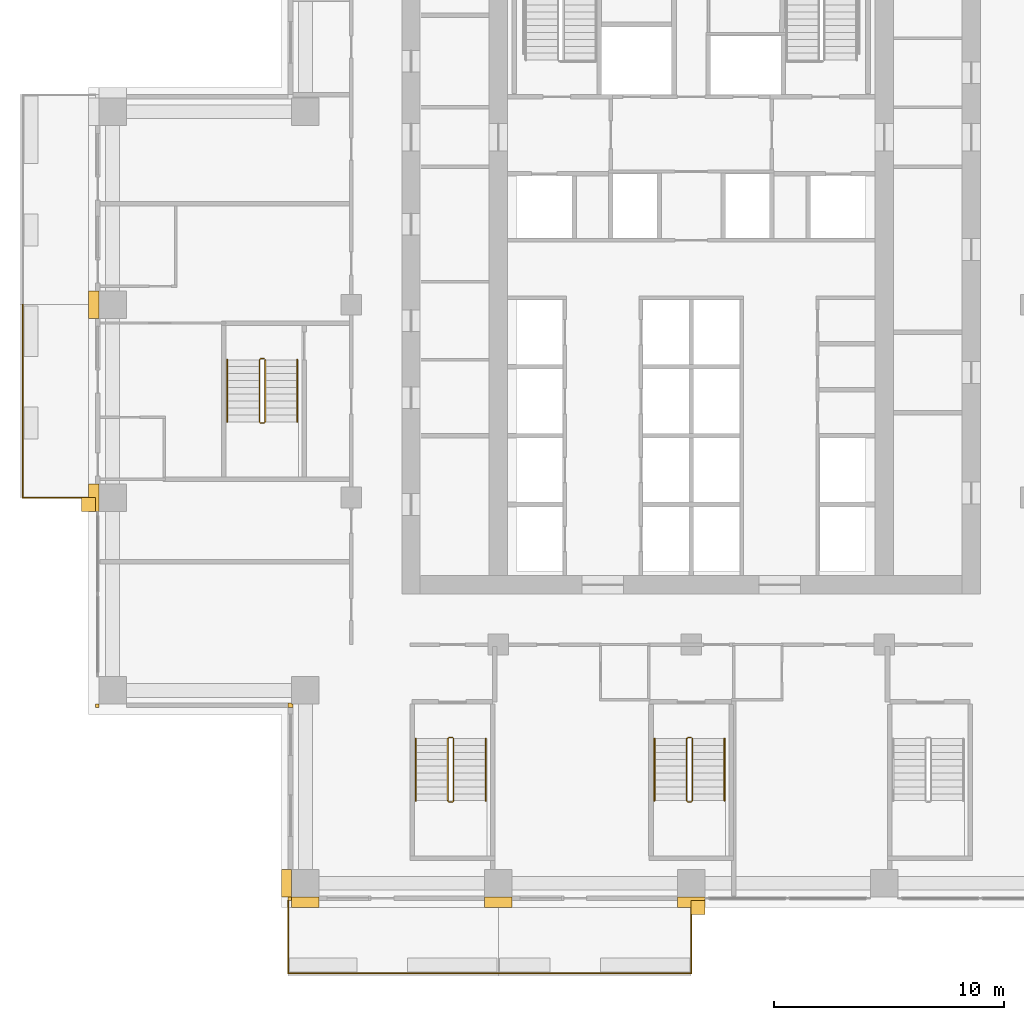
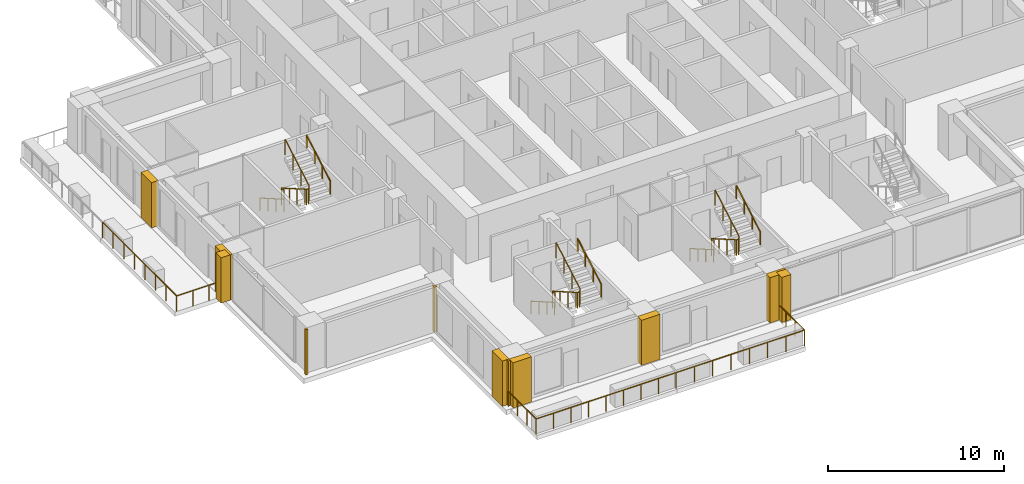
# One storey, part 13 of 16: 12 railings, 11 coverings.
"""IFC4 building model written with IfcOpenShell, lengths in metres."""

from ifc_helpers import new_model, si_unit, direction, frame, origin, origin_2d, place, context, subcontext, project, spatial, polyline, rectangle, outline, extrude, material, type_object, element, save


model = new_model("IFC4")

# Units and contexts
model_context = context("Model", 3, precision=1e-05, world=origin(), true_north=direction((0.0, 1.0)))
body_context = subcontext(model_context, "Body", "Model", "MODEL_VIEW")
ifc_project = project(units=[si_unit("LENGTHUNIT", "METRE"), si_unit("AREAUNIT", "SQUARE_METRE"), si_unit("VOLUMEUNIT", "CUBIC_METRE"), si_unit("PLANEANGLEUNIT", "RADIAN"), si_unit("MASSUNIT", "GRAM", prefix="KILO")], contexts=[model_context])

# Site, building, storey
site_placement = place(None, origin())
site = spatial("IfcSite", under=ifc_project, at=site_placement, CompositionType="ELEMENT")
building_placement = place(site_placement, origin())
building = spatial("IfcBuilding", under=site, at=building_placement, Name="Vermilion Ogive Tower", CompositionType="ELEMENT")
storey_placement = place(building_placement, frame((0.0, 0.0, 101.10009765625)))
storey = spatial("IfcBuildingStorey", under=building, at=storey_placement, Name="L25", CompositionType="ELEMENT", Elevation=101.10009765625)

# Railings
ifc_material_1 = material(Name="Stainless steel and glass", Category="steel")
railing_type_1 = type_object("IfcRailingType", Name="Balcony guard", PredefinedType="GUARDRAIL", material=ifc_material_1)
railing_1_placement = place(storey_placement, frame((-17.550048828125, -21.75, -0.0400390625)))
element("IfcRailing", 1, at=railing_1_placement, inside=storey, type_object=railing_type_1, Name="Guard S01", PredefinedType="GUARDRAIL", context=body_context, shape_type="SweptSolid", body=[
    extrude(rectangle(XDim=0.048095703125, YDim=0.048095703125, at=origin_2d()), frame((0.0, 0.0, 1.076171875), z_axis=(0.0, -1.0, 0.0), x_axis=(1.0, 0.0, 0.0)), (0.0, 0.0, 1.0), 3.159912109375),
    extrude(rectangle(XDim=0.048095703125, YDim=0.048095703125, at=origin_2d()), frame((0.0, -3.159912109375, 1.076171875), z_axis=(1.0, 0.0, 0.0), x_axis=(0.0, 1.0, 0.0)), (0.0, 0.0, 1.0), 9.150146484375),
    extrude(rectangle(XDim=0.0419921875, YDim=0.0419921875, at=origin_2d()), origin(), (0.0, 0.0, 1.0), 1.052001953125),
    extrude(rectangle(XDim=0.0419921875, YDim=0.0419921875, at=origin_2d()), frame((0.0, -1.05322265625, 0.0)), (0.0, 0.0, 1.0), 1.052001953125),
    extrude(rectangle(XDim=0.0419921875, YDim=0.0419921875, at=origin_2d()), frame((0.0, -2.106689453125, 0.0)), (0.0, 0.0, 1.0), 1.052001953125),
    extrude(rectangle(XDim=0.0419921875, YDim=0.0419921875, at=origin_2d()), frame((0.0, -3.159912109375, 0.0)), (0.0, 0.0, 1.0), 1.052001953125),
    extrude(rectangle(XDim=0.0419921875, YDim=0.0419921875, at=origin_2d()), frame((1.143798828125, -3.159912109375, 0.0)), (0.0, 0.0, 1.0), 1.052001953125),
    extrude(rectangle(XDim=0.0419921875, YDim=0.0419921875, at=origin_2d()), frame((2.28759765625, -3.159912109375, 0.0)), (0.0, 0.0, 1.0), 1.052001953125),
    extrude(rectangle(XDim=0.0419921875, YDim=0.0419921875, at=origin_2d()), frame((3.431396484375, -3.159912109375, 0.0)), (0.0, 0.0, 1.0), 1.052001953125),
    extrude(rectangle(XDim=0.0419921875, YDim=0.0419921875, at=origin_2d()), frame((4.5751953125, -3.159912109375, 0.0)), (0.0, 0.0, 1.0), 1.052001953125),
    extrude(rectangle(XDim=0.0419921875, YDim=0.0419921875, at=origin_2d()), frame((5.71875, -3.159912109375, 0.0)), (0.0, 0.0, 1.0), 1.052001953125),
    extrude(rectangle(XDim=0.0419921875, YDim=0.0419921875, at=origin_2d()), frame((6.862548828125, -3.159912109375, 0.0)), (0.0, 0.0, 1.0), 1.052001953125),
    extrude(rectangle(XDim=0.0419921875, YDim=0.0419921875, at=origin_2d()), frame((8.00634765625, -3.159912109375, 0.0)), (0.0, 0.0, 1.0), 1.052001953125),
    extrude(rectangle(XDim=0.0419921875, YDim=0.0419921875, at=origin_2d()), frame((9.150146484375, -3.159912109375, 0.0)), (0.0, 0.0, 1.0), 1.052001953125),
])
railing_2_placement = place(storey_placement, frame((-8.39990234375, -24.909912109375, -0.0400390625)))
element("IfcRailing", 2, at=railing_2_placement, inside=storey, type_object=railing_type_1, Name="Guard S02", PredefinedType="GUARDRAIL", context=body_context, shape_type="SweptSolid", body=[
    extrude(rectangle(XDim=0.048095703125, YDim=0.048095703125, at=origin_2d()), frame((0.0, 0.0, 1.076171875), z_axis=(1.0, 0.0, 0.0), x_axis=(0.0, 1.0, 0.0)), (0.0, 0.0, 1.0), 8.39990234375),
    extrude(rectangle(XDim=0.048095703125, YDim=0.048095703125, at=origin_2d()), frame((8.39990234375, 0.0, 1.076171875), z_axis=(0.0, 1.0, 0.0), x_axis=(-1.0, 0.0, 0.0)), (0.0, 0.0, 1.0), 3.159912109375),
    extrude(rectangle(XDim=0.0419921875, YDim=0.0419921875, at=origin_2d()), origin(), (0.0, 0.0, 1.0), 1.052001953125),
    extrude(rectangle(XDim=0.0419921875, YDim=0.0419921875, at=origin_2d()), frame((1.199951171875, 0.0, 0.0)), (0.0, 0.0, 1.0), 1.052001953125),
    extrude(rectangle(XDim=0.0419921875, YDim=0.0419921875, at=origin_2d()), frame((2.39990234375, 0.0, 0.0)), (0.0, 0.0, 1.0), 1.052001953125),
    extrude(rectangle(XDim=0.0419921875, YDim=0.0419921875, at=origin_2d()), frame((3.599853515625, 0.0, 0.0)), (0.0, 0.0, 1.0), 1.052001953125),
    extrude(rectangle(XDim=0.0419921875, YDim=0.0419921875, at=origin_2d()), frame((4.800048828125, 0.0, 0.0)), (0.0, 0.0, 1.0), 1.052001953125),
    extrude(rectangle(XDim=0.0419921875, YDim=0.0419921875, at=origin_2d()), frame((6.0, 0.0, 0.0)), (0.0, 0.0, 1.0), 1.052001953125),
    extrude(rectangle(XDim=0.0419921875, YDim=0.0419921875, at=origin_2d()), frame((7.199951171875, 0.0, 0.0)), (0.0, 0.0, 1.0), 1.052001953125),
    extrude(rectangle(XDim=0.0419921875, YDim=0.0419921875, at=origin_2d()), frame((8.39990234375, 0.0, 0.0)), (0.0, 0.0, 1.0), 1.052001953125),
    extrude(rectangle(XDim=0.0419921875, YDim=0.0419921875, at=origin_2d()), frame((8.39990234375, 1.05322265625, 0.0)), (0.0, 0.0, 1.0), 1.052001953125),
    extrude(rectangle(XDim=0.0419921875, YDim=0.0419921875, at=origin_2d()), frame((8.39990234375, 2.106689453125, 0.0)), (0.0, 0.0, 1.0), 1.052001953125),
    extrude(rectangle(XDim=0.0419921875, YDim=0.0419921875, at=origin_2d()), frame((8.39990234375, 3.159912109375, 0.0)), (0.0, 0.0, 1.0), 1.052001953125),
])
railing_3_placement = place(storey_placement, frame((-29.110107421875, 4.199951171875, -0.0400390625)))
element("IfcRailing", 3, at=railing_3_placement, inside=storey, type_object=railing_type_1, Name="Guard W02", PredefinedType="GUARDRAIL", context=body_context, shape_type="SweptSolid", body=[
    extrude(rectangle(XDim=0.048095703125, YDim=0.048095703125, at=origin_2d()), frame((0.0, 0.0, 1.076171875), z_axis=(0.0, -1.0, 0.0), x_axis=(1.0, 0.0, 0.0)), (0.0, 0.0, 1.0), 8.39990234375),
    extrude(rectangle(XDim=0.048095703125, YDim=0.048095703125, at=origin_2d()), frame((0.0, -8.39990234375, 1.076171875), z_axis=(1.0, 0.0, 0.0), x_axis=(0.0, 1.0, 0.0)), (0.0, 0.0, 1.0), 3.16015625),
    extrude(rectangle(XDim=0.0419921875, YDim=0.0419921875, at=origin_2d()), origin(), (0.0, 0.0, 1.0), 1.052001953125),
    extrude(rectangle(XDim=0.0419921875, YDim=0.0419921875, at=origin_2d()), frame((0.0, -1.199951171875, 0.0)), (0.0, 0.0, 1.0), 1.052001953125),
    extrude(rectangle(XDim=0.0419921875, YDim=0.0419921875, at=origin_2d()), frame((0.0, -2.39990234375, 0.0)), (0.0, 0.0, 1.0), 1.052001953125),
    extrude(rectangle(XDim=0.0419921875, YDim=0.0419921875, at=origin_2d()), frame((0.0, -3.599853515625, 0.0)), (0.0, 0.0, 1.0), 1.052001953125),
    extrude(rectangle(XDim=0.0419921875, YDim=0.0419921875, at=origin_2d()), frame((0.0, -4.800048828125, 0.0)), (0.0, 0.0, 1.0), 1.052001953125),
    extrude(rectangle(XDim=0.0419921875, YDim=0.0419921875, at=origin_2d()), frame((0.0, -6.0, 0.0)), (0.0, 0.0, 1.0), 1.052001953125),
    extrude(rectangle(XDim=0.0419921875, YDim=0.0419921875, at=origin_2d()), frame((0.0, -7.199951171875, 0.0)), (0.0, 0.0, 1.0), 1.052001953125),
    extrude(rectangle(XDim=0.0419921875, YDim=0.0419921875, at=origin_2d()), frame((0.0, -8.39990234375, 0.0)), (0.0, 0.0, 1.0), 1.052001953125),
    extrude(rectangle(XDim=0.0419921875, YDim=0.0419921875, at=origin_2d()), frame((1.053466796875, -8.39990234375, 0.0)), (0.0, 0.0, 1.0), 1.052001953125),
    extrude(rectangle(XDim=0.0419921875, YDim=0.0419921875, at=origin_2d()), frame((2.106689453125, -8.39990234375, 0.0)), (0.0, 0.0, 1.0), 1.052001953125),
    extrude(rectangle(XDim=0.0419921875, YDim=0.0419921875, at=origin_2d()), frame((3.16015625, -8.39990234375, 0.0)), (0.0, 0.0, 1.0), 1.052001953125),
])
ifc_material_2 = material(Name="Steel S355 painted", Category="steel")
railing_type_2 = type_object("IfcRailingType", Name="Stair guard 1100", PredefinedType="GUARDRAIL", material=ifc_material_2)
railing_4_placement = place(storey_placement, frame((-10.39990234375, -14.64990234375, 0.0)))
element("IfcRailing", 4, at=railing_4_placement, inside=storey, type_object=railing_type_2, Name="L25 ST3 stair guard 4", PredefinedType="GUARDRAIL", context=body_context, shape_type="SweptSolid", body=[
    extrude(rectangle(XDim=0.048095703125, YDim=0.048095703125, at=origin_2d()), frame((0.0, 0.0, 1.076171875), z_axis=(-1.0, 0.0, 0.0), x_axis=(0.0, -1.0, 0.0)), (0.0, 0.0, 1.0), 0.150146484375),
    extrude(rectangle(XDim=0.048095703125, YDim=0.048095703125, at=origin_2d()), frame((-0.150146484375, 0.0, 1.076171875), z_axis=(-0.268603158521, -0.268603158521, 0.925043072762), x_axis=(0.707106781187, -0.707106781187, 0.0)), (0.0, 0.0, 1.0), 0.186279296875),
    extrude(rectangle(XDim=0.048095703125, YDim=0.048095703125, at=origin_2d()), frame((-0.2001953125, -0.050048828125, 1.24853515625), z_axis=(0.0, -0.866903762492, 0.498475542607), x_axis=(1.0, 0.0, 0.0)), (0.0, 0.0, 1.0), 3.114501953125),
    extrude(rectangle(XDim=0.048095703125, YDim=0.048095703125, at=origin_2d()), frame((-0.2001953125, -2.75, 2.80078125), z_axis=(0.707106781187, -0.707106781187, 0.0), x_axis=(0.707106781187, 0.707106781187, 0.0)), (0.0, 0.0, 1.0), 0.07080078125),
    extrude(rectangle(XDim=0.048095703125, YDim=0.048095703125, at=origin_2d()), frame((-0.150146484375, -2.800048828125, 2.80078125), z_axis=(1.0, 0.0, 0.0), x_axis=(0.0, 1.0, 0.0)), (0.0, 0.0, 1.0), 0.150146484375),
    extrude(rectangle(XDim=0.048095703125, YDim=0.048095703125, at=origin_2d()), frame((0.0, -2.800048828125, 2.80078125), z_axis=(0.267062837333, 0.268371968888, 0.925556009775), x_axis=(-0.708833529934, 0.705375805398, 0.0)), (0.0, 0.0, 1.0), 0.1865234375),
    extrude(rectangle(XDim=0.048095703125, YDim=0.048095703125, at=origin_2d()), frame((0.0498046875, -2.75, 2.9736328125), z_axis=(0.0, 0.866903762492, 0.498475542607), x_axis=(-1.0, 0.0, 0.0)), (0.0, 0.0, 1.0), 3.114501953125),
    extrude(rectangle(XDim=0.0419921875, YDim=0.0419921875, at=origin_2d()), origin(), (0.0, 0.0, 1.0), 1.052001953125),
    extrude(rectangle(XDim=0.0419921875, YDim=0.0419921875, at=origin_2d()), frame((-0.150146484375, 0.0, 0.0)), (0.0, 0.0, 1.0), 1.052001953125),
    extrude(rectangle(XDim=0.0419921875, YDim=0.0419921875, at=origin_2d()), frame((-0.2001953125, -0.050048828125, 0.17236328125)), (0.0, 0.0, 1.0), 1.052001953125),
    extrude(rectangle(XDim=0.0419921875, YDim=0.0419921875, at=origin_2d()), frame((-0.2001953125, -0.949951171875, 0.68994140625)), (0.0, 0.0, 1.0), 1.052001953125),
    extrude(rectangle(XDim=0.0419921875, YDim=0.0419921875, at=origin_2d()), frame((-0.2001953125, -1.85009765625, 1.207275390625)), (0.0, 0.0, 1.0), 1.052001953125),
    extrude(rectangle(XDim=0.0419921875, YDim=0.0419921875, at=origin_2d()), frame((-0.2001953125, -2.75, 1.724853515625)), (0.0, 0.0, 1.0), 1.052001953125),
    extrude(rectangle(XDim=0.0419921875, YDim=0.0419921875, at=origin_2d()), frame((-0.150146484375, -2.800048828125, 1.724853515625)), (0.0, 0.0, 1.0), 1.052001953125),
    extrude(rectangle(XDim=0.0419921875, YDim=0.0419921875, at=origin_2d()), frame((0.0, -2.800048828125, 1.724853515625)), (0.0, 0.0, 1.0), 1.052001953125),
    extrude(rectangle(XDim=0.0419921875, YDim=0.0419921875, at=origin_2d()), frame((0.0498046875, -2.75, 1.8974609375)), (0.0, 0.0, 1.0), 1.052001953125),
    extrude(rectangle(XDim=0.0419921875, YDim=0.0419921875, at=origin_2d()), frame((0.0498046875, -1.85009765625, 2.4150390625)), (0.0, 0.0, 1.0), 1.052001953125),
    extrude(rectangle(XDim=0.0419921875, YDim=0.0419921875, at=origin_2d()), frame((0.0498046875, -0.949951171875, 2.932373046875)), (0.0, 0.0, 1.0), 1.052001953125),
    extrude(rectangle(XDim=0.0419921875, YDim=0.0419921875, at=origin_2d()), frame((0.0498046875, -0.050048828125, 3.449951171875)), (0.0, 0.0, 1.0), 1.052001953125),
])
railing_5_placement = place(storey_placement, frame((0.0, -14.64990234375, 0.0)))
element("IfcRailing", 5, at=railing_5_placement, inside=storey, type_object=railing_type_2, Name="L25 ST4 stair guard 4", PredefinedType="GUARDRAIL", context=body_context, shape_type="SweptSolid", body=[
    extrude(rectangle(XDim=0.048095703125, YDim=0.048095703125, at=origin_2d()), frame((0.0, 0.0, 1.076171875), z_axis=(-1.0, 0.0, 0.0), x_axis=(0.0, -1.0, 0.0)), (0.0, 0.0, 1.0), 0.14990234375),
    extrude(rectangle(XDim=0.048095703125, YDim=0.048095703125, at=origin_2d()), frame((-0.14990234375, 0.0, 1.076171875), z_axis=(-0.268603158521, -0.268603158521, 0.925043072762), x_axis=(0.707106781187, -0.707106781187, 0.0)), (0.0, 0.0, 1.0), 0.186279296875),
    extrude(rectangle(XDim=0.048095703125, YDim=0.048095703125, at=origin_2d()), frame((-0.199951171875, -0.050048828125, 1.24853515625), z_axis=(0.0, -0.866903762492, 0.498475542607), x_axis=(1.0, 0.0, 0.0)), (0.0, 0.0, 1.0), 3.114501953125),
    extrude(rectangle(XDim=0.048095703125, YDim=0.048095703125, at=origin_2d()), frame((-0.199951171875, -2.75, 2.80078125), z_axis=(0.707106781187, -0.707106781187, 0.0), x_axis=(0.707106781187, 0.707106781187, 0.0)), (0.0, 0.0, 1.0), 0.07080078125),
    extrude(rectangle(XDim=0.048095703125, YDim=0.048095703125, at=origin_2d()), frame((-0.14990234375, -2.800048828125, 2.80078125), z_axis=(1.0, 0.0, 0.0), x_axis=(0.0, 1.0, 0.0)), (0.0, 0.0, 1.0), 0.14990234375),
    extrude(rectangle(XDim=0.048095703125, YDim=0.048095703125, at=origin_2d()), frame((0.0, -2.800048828125, 2.80078125), z_axis=(0.268277960024, 0.268277960024, 0.925231793839), x_axis=(-0.707106781187, 0.707106781187, 0.0)), (0.0, 0.0, 1.0), 0.1865234375),
    extrude(rectangle(XDim=0.048095703125, YDim=0.048095703125, at=origin_2d()), frame((0.050048828125, -2.75, 2.9736328125), z_axis=(0.0, 0.866903762492, 0.498475542607), x_axis=(-1.0, 0.0, 0.0)), (0.0, 0.0, 1.0), 3.114501953125),
    extrude(rectangle(XDim=0.0419921875, YDim=0.0419921875, at=origin_2d()), origin(), (0.0, 0.0, 1.0), 1.052001953125),
    extrude(rectangle(XDim=0.0419921875, YDim=0.0419921875, at=origin_2d()), frame((-0.14990234375, 0.0, 0.0)), (0.0, 0.0, 1.0), 1.052001953125),
    extrude(rectangle(XDim=0.0419921875, YDim=0.0419921875, at=origin_2d()), frame((-0.199951171875, -0.050048828125, 0.17236328125)), (0.0, 0.0, 1.0), 1.052001953125),
    extrude(rectangle(XDim=0.0419921875, YDim=0.0419921875, at=origin_2d()), frame((-0.199951171875, -0.949951171875, 0.68994140625)), (0.0, 0.0, 1.0), 1.052001953125),
    extrude(rectangle(XDim=0.0419921875, YDim=0.0419921875, at=origin_2d()), frame((-0.199951171875, -1.85009765625, 1.207275390625)), (0.0, 0.0, 1.0), 1.052001953125),
    extrude(rectangle(XDim=0.0419921875, YDim=0.0419921875, at=origin_2d()), frame((-0.199951171875, -2.75, 1.724853515625)), (0.0, 0.0, 1.0), 1.052001953125),
    extrude(rectangle(XDim=0.0419921875, YDim=0.0419921875, at=origin_2d()), frame((-0.14990234375, -2.800048828125, 1.724853515625)), (0.0, 0.0, 1.0), 1.052001953125),
    extrude(rectangle(XDim=0.0419921875, YDim=0.0419921875, at=origin_2d()), frame((0.0, -2.800048828125, 1.724853515625)), (0.0, 0.0, 1.0), 1.052001953125),
    extrude(rectangle(XDim=0.0419921875, YDim=0.0419921875, at=origin_2d()), frame((0.050048828125, -2.75, 1.8974609375)), (0.0, 0.0, 1.0), 1.052001953125),
    extrude(rectangle(XDim=0.0419921875, YDim=0.0419921875, at=origin_2d()), frame((0.050048828125, -1.85009765625, 2.4150390625)), (0.0, 0.0, 1.0), 1.052001953125),
    extrude(rectangle(XDim=0.0419921875, YDim=0.0419921875, at=origin_2d()), frame((0.050048828125, -0.949951171875, 2.932373046875)), (0.0, 0.0, 1.0), 1.052001953125),
    extrude(rectangle(XDim=0.0419921875, YDim=0.0419921875, at=origin_2d()), frame((0.050048828125, -0.050048828125, 3.449951171875)), (0.0, 0.0, 1.0), 1.052001953125),
])
railing_6_placement = place(storey_placement, frame((-18.60009765625, 1.85009765625, 0.0)))
element("IfcRailing", 6, at=railing_6_placement, inside=storey, type_object=railing_type_2, Name="L25 ST9 stair guard 4", PredefinedType="GUARDRAIL", context=body_context, shape_type="SweptSolid", body=[
    extrude(rectangle(XDim=0.048095703125, YDim=0.048095703125, at=origin_2d()), frame((0.0, 0.0, 1.076171875), z_axis=(-1.0, 0.0, 0.0), x_axis=(0.0, -1.0, 0.0)), (0.0, 0.0, 1.0), 0.14990234375),
    extrude(rectangle(XDim=0.048095703125, YDim=0.048095703125, at=origin_2d()), frame((-0.14990234375, 0.0, 1.076171875), z_axis=(-0.268603158521, -0.268603158521, 0.925043072762), x_axis=(0.707106781187, -0.707106781187, 0.0)), (0.0, 0.0, 1.0), 0.186279296875),
    extrude(rectangle(XDim=0.048095703125, YDim=0.048095703125, at=origin_2d()), frame((-0.199951171875, -0.050048828125, 1.24853515625), z_axis=(0.0, -0.866903762492, 0.498475542607), x_axis=(1.0, 0.0, 0.0)), (0.0, 0.0, 1.0), 3.114501953125),
    extrude(rectangle(XDim=0.048095703125, YDim=0.048095703125, at=origin_2d()), frame((-0.199951171875, -2.75, 2.80078125), z_axis=(0.707106781187, -0.707106781187, 0.0), x_axis=(0.707106781187, 0.707106781187, 0.0)), (0.0, 0.0, 1.0), 0.07080078125),
    extrude(rectangle(XDim=0.048095703125, YDim=0.048095703125, at=origin_2d()), frame((-0.14990234375, -2.800048828125, 2.80078125), z_axis=(1.0, 0.0, 0.0), x_axis=(0.0, 1.0, 0.0)), (0.0, 0.0, 1.0), 0.14990234375),
    extrude(rectangle(XDim=0.048095703125, YDim=0.048095703125, at=origin_2d()), frame((0.0, -2.800048828125, 2.80078125), z_axis=(0.268277960024, 0.268277960024, 0.925231793839), x_axis=(-0.707106781187, 0.707106781187, 0.0)), (0.0, 0.0, 1.0), 0.1865234375),
    extrude(rectangle(XDim=0.048095703125, YDim=0.048095703125, at=origin_2d()), frame((0.050048828125, -2.75, 2.9736328125), z_axis=(0.0, 0.866903762492, 0.498475542607), x_axis=(-1.0, 0.0, 0.0)), (0.0, 0.0, 1.0), 3.114501953125),
    extrude(rectangle(XDim=0.0419921875, YDim=0.0419921875, at=origin_2d()), origin(), (0.0, 0.0, 1.0), 1.052001953125),
    extrude(rectangle(XDim=0.0419921875, YDim=0.0419921875, at=origin_2d()), frame((-0.14990234375, 0.0, 0.0)), (0.0, 0.0, 1.0), 1.052001953125),
    extrude(rectangle(XDim=0.0419921875, YDim=0.0419921875, at=origin_2d()), frame((-0.199951171875, -0.050048828125, 0.17236328125)), (0.0, 0.0, 1.0), 1.052001953125),
    extrude(rectangle(XDim=0.0419921875, YDim=0.0419921875, at=origin_2d()), frame((-0.199951171875, -0.949951171875, 0.68994140625)), (0.0, 0.0, 1.0), 1.052001953125),
    extrude(rectangle(XDim=0.0419921875, YDim=0.0419921875, at=origin_2d()), frame((-0.199951171875, -1.85009765625, 1.207275390625)), (0.0, 0.0, 1.0), 1.052001953125),
    extrude(rectangle(XDim=0.0419921875, YDim=0.0419921875, at=origin_2d()), frame((-0.199951171875, -2.75, 1.724853515625)), (0.0, 0.0, 1.0), 1.052001953125),
    extrude(rectangle(XDim=0.0419921875, YDim=0.0419921875, at=origin_2d()), frame((-0.14990234375, -2.800048828125, 1.724853515625)), (0.0, 0.0, 1.0), 1.052001953125),
    extrude(rectangle(XDim=0.0419921875, YDim=0.0419921875, at=origin_2d()), frame((0.0, -2.800048828125, 1.724853515625)), (0.0, 0.0, 1.0), 1.052001953125),
    extrude(rectangle(XDim=0.0419921875, YDim=0.0419921875, at=origin_2d()), frame((0.050048828125, -2.75, 1.8974609375)), (0.0, 0.0, 1.0), 1.052001953125),
    extrude(rectangle(XDim=0.0419921875, YDim=0.0419921875, at=origin_2d()), frame((0.050048828125, -1.85009765625, 2.4150390625)), (0.0, 0.0, 1.0), 1.052001953125),
    extrude(rectangle(XDim=0.0419921875, YDim=0.0419921875, at=origin_2d()), frame((0.050048828125, -0.949951171875, 2.932373046875)), (0.0, 0.0, 1.0), 1.052001953125),
    extrude(rectangle(XDim=0.0419921875, YDim=0.0419921875, at=origin_2d()), frame((0.050048828125, -0.050048828125, 3.449951171875)), (0.0, 0.0, 1.0), 1.052001953125),
])
ifc_material_3 = material(Name="Stainless steel", Category="steel")
railing_type_3 = type_object("IfcRailingType", Name="Stair handrail 900", PredefinedType="HANDRAIL", material=ifc_material_3)
railing_7_placement = place(storey_placement, frame((-12.0, -14.699951171875, 0.17236328125)))
element("IfcRailing", 7, at=railing_7_placement, inside=storey, type_object=railing_type_3, Name="L25 ST3 stair handrail 1", PredefinedType="HANDRAIL", context=body_context, shape_type="SweptSolid", body=[
    extrude(rectangle(XDim=0.048095703125, YDim=0.048095703125, at=origin_2d()), frame((0.0, 0.0, 0.8759765625), z_axis=(0.0, -0.866903762492, 0.498475542607), x_axis=(1.0, 0.0, 0.0)), (0.0, 0.0, 1.0), 3.114501953125),
    extrude(rectangle(XDim=0.0419921875, YDim=0.0419921875, at=origin_2d()), origin(), (0.0, 0.0, 1.0), 0.851806640625),
    extrude(rectangle(XDim=0.0419921875, YDim=0.0419921875, at=origin_2d()), frame((0.0, -0.89990234375, 0.517578125)), (0.0, 0.0, 1.0), 0.851806640625),
    extrude(rectangle(XDim=0.0419921875, YDim=0.0419921875, at=origin_2d()), frame((0.0, -1.800048828125, 1.034912109375)), (0.0, 0.0, 1.0), 0.851806640625),
    extrude(rectangle(XDim=0.0419921875, YDim=0.0419921875, at=origin_2d()), frame((0.0, -2.699951171875, 1.552490234375)), (0.0, 0.0, 1.0), 0.851806640625),
])
railing_8_placement = place(storey_placement, frame((-8.949951171875, -17.39990234375, 1.8974609375)))
element("IfcRailing", 8, at=railing_8_placement, inside=storey, type_object=railing_type_3, Name="L25 ST3 stair handrail 2", PredefinedType="HANDRAIL", context=body_context, shape_type="SweptSolid", body=[
    extrude(rectangle(XDim=0.048095703125, YDim=0.048095703125, at=origin_2d()), frame((0.0, 0.0, 0.8759765625), z_axis=(0.0, 0.866903762492, 0.498475542607), x_axis=(-1.0, 0.0, 0.0)), (0.0, 0.0, 1.0), 3.114501953125),
    extrude(rectangle(XDim=0.0419921875, YDim=0.0419921875, at=origin_2d()), origin(), (0.0, 0.0, 1.0), 0.851806640625),
    extrude(rectangle(XDim=0.0419921875, YDim=0.0419921875, at=origin_2d()), frame((0.0, 0.89990234375, 0.517578125)), (0.0, 0.0, 1.0), 0.851806640625),
    extrude(rectangle(XDim=0.0419921875, YDim=0.0419921875, at=origin_2d()), frame((0.0, 1.800048828125, 1.034912109375)), (0.0, 0.0, 1.0), 0.851806640625),
    extrude(rectangle(XDim=0.0419921875, YDim=0.0419921875, at=origin_2d()), frame((0.0, 2.699951171875, 1.552490234375)), (0.0, 0.0, 1.0), 0.851806640625),
])
railing_9_placement = place(storey_placement, frame((-1.60009765625, -14.699951171875, 0.17236328125)))
element("IfcRailing", 9, at=railing_9_placement, inside=storey, type_object=railing_type_3, Name="L25 ST4 stair handrail 1", PredefinedType="HANDRAIL", context=body_context, shape_type="SweptSolid", body=[
    extrude(rectangle(XDim=0.048095703125, YDim=0.048095703125, at=origin_2d()), frame((0.0, 0.0, 0.8759765625), z_axis=(0.0, -0.866903762492, 0.498475542607), x_axis=(1.0, 0.0, 0.0)), (0.0, 0.0, 1.0), 3.114501953125),
    extrude(rectangle(XDim=0.0419921875, YDim=0.0419921875, at=origin_2d()), origin(), (0.0, 0.0, 1.0), 0.851806640625),
    extrude(rectangle(XDim=0.0419921875, YDim=0.0419921875, at=origin_2d()), frame((0.0, -0.89990234375, 0.517578125)), (0.0, 0.0, 1.0), 0.851806640625),
    extrude(rectangle(XDim=0.0419921875, YDim=0.0419921875, at=origin_2d()), frame((0.0, -1.800048828125, 1.034912109375)), (0.0, 0.0, 1.0), 0.851806640625),
    extrude(rectangle(XDim=0.0419921875, YDim=0.0419921875, at=origin_2d()), frame((0.0, -2.699951171875, 1.552490234375)), (0.0, 0.0, 1.0), 0.851806640625),
])
railing_10_placement = place(storey_placement, frame((1.449951171875, -17.39990234375, 1.8974609375)))
element("IfcRailing", 10, at=railing_10_placement, inside=storey, type_object=railing_type_3, Name="L25 ST4 stair handrail 2", PredefinedType="HANDRAIL", context=body_context, shape_type="SweptSolid", body=[
    extrude(rectangle(XDim=0.048095703125, YDim=0.048095703125, at=origin_2d()), frame((0.0, 0.0, 0.8759765625), z_axis=(0.0, 0.866903762492, 0.498475542607), x_axis=(-1.0, 0.0, 0.0)), (0.0, 0.0, 1.0), 3.114501953125),
    extrude(rectangle(XDim=0.0419921875, YDim=0.0419921875, at=origin_2d()), origin(), (0.0, 0.0, 1.0), 0.851806640625),
    extrude(rectangle(XDim=0.0419921875, YDim=0.0419921875, at=origin_2d()), frame((0.0, 0.89990234375, 0.517578125)), (0.0, 0.0, 1.0), 0.851806640625),
    extrude(rectangle(XDim=0.0419921875, YDim=0.0419921875, at=origin_2d()), frame((0.0, 1.800048828125, 1.034912109375)), (0.0, 0.0, 1.0), 0.851806640625),
    extrude(rectangle(XDim=0.0419921875, YDim=0.0419921875, at=origin_2d()), frame((0.0, 2.699951171875, 1.552490234375)), (0.0, 0.0, 1.0), 0.851806640625),
])
railing_11_placement = place(storey_placement, frame((-20.199951171875, 1.800048828125, 0.17236328125)))
element("IfcRailing", 11, at=railing_11_placement, inside=storey, type_object=railing_type_3, Name="L25 ST9 stair handrail 1", PredefinedType="HANDRAIL", context=body_context, shape_type="SweptSolid", body=[
    extrude(rectangle(XDim=0.048095703125, YDim=0.048095703125, at=origin_2d()), frame((0.0, 0.0, 0.8759765625), z_axis=(0.0, -0.866903762492, 0.498475542607), x_axis=(1.0, 0.0, 0.0)), (0.0, 0.0, 1.0), 3.114501953125),
    extrude(rectangle(XDim=0.0419921875, YDim=0.0419921875, at=origin_2d()), origin(), (0.0, 0.0, 1.0), 0.851806640625),
    extrude(rectangle(XDim=0.0419921875, YDim=0.0419921875, at=origin_2d()), frame((0.0, -0.89990234375, 0.517578125)), (0.0, 0.0, 1.0), 0.851806640625),
    extrude(rectangle(XDim=0.0419921875, YDim=0.0419921875, at=origin_2d()), frame((0.0, -1.800048828125, 1.034912109375)), (0.0, 0.0, 1.0), 0.851806640625),
    extrude(rectangle(XDim=0.0419921875, YDim=0.0419921875, at=origin_2d()), frame((0.0, -2.699951171875, 1.552490234375)), (0.0, 0.0, 1.0), 0.851806640625),
])
railing_12_placement = place(storey_placement, frame((-17.14990234375, -0.89990234375, 1.8974609375)))
element("IfcRailing", 12, at=railing_12_placement, inside=storey, type_object=railing_type_3, Name="L25 ST9 stair handrail 2", PredefinedType="HANDRAIL", context=body_context, shape_type="SweptSolid", body=[
    extrude(rectangle(XDim=0.048095703125, YDim=0.048095703125, at=origin_2d()), frame((0.0, 0.0, 0.8759765625), z_axis=(0.0, 0.866903762492, 0.498475542607), x_axis=(-1.0, 0.0, 0.0)), (0.0, 0.0, 1.0), 3.114501953125),
    extrude(rectangle(XDim=0.0419921875, YDim=0.0419921875, at=origin_2d()), origin(), (0.0, 0.0, 1.0), 0.851806640625),
    extrude(rectangle(XDim=0.0419921875, YDim=0.0419921875, at=origin_2d()), frame((0.0, 0.89990234375, 0.517578125)), (0.0, 0.0, 1.0), 0.851806640625),
    extrude(rectangle(XDim=0.0419921875, YDim=0.0419921875, at=origin_2d()), frame((0.0, 1.800048828125, 1.034912109375)), (0.0, 0.0, 1.0), 0.851806640625),
    extrude(rectangle(XDim=0.0419921875, YDim=0.0419921875, at=origin_2d()), frame((0.0, 2.699951171875, 1.552490234375)), (0.0, 0.0, 1.0), 0.851806640625),
])

# Coverings
ifc_material_4 = material(Name="Stone cladding", Category="masonry")
covering_type_1 = type_object("IfcCoveringType", Name="Stone corner buttress", PredefinedType="CLADDING", material=ifc_material_4)
covering_1_placement = place(storey_placement, origin())
element("IfcCovering", 13, at=covering_1_placement, inside=storey, type_object=covering_type_1, Name="Stone crease pier SK", PredefinedType="CLADDING", context=body_context, shape_type="SweptSolid", body=[
    extrude(outline(polyline([(0.0, -22.35009765625), (0.60009765625, -22.35009765625), (0.60009765625, -21.75), (0.0, -21.75), (0.0, -22.35009765625)])), origin(), (0.0, 0.0, 1.0), 3.1298828125),
])
covering_2_placement = place(storey_placement, origin())
element("IfcCovering", 14, at=covering_2_placement, inside=storey, type_object=covering_type_1, Name="Stone crease pier WK", PredefinedType="CLADDING", context=body_context, shape_type="SweptSolid", body=[
    extrude(outline(polyline([(-26.550048828125, -4.199951171875), (-26.550048828125, -4.800048828125), (-25.949951171875, -4.800048828125), (-25.949951171875, -4.199951171875), (-26.550048828125, -4.199951171875)])), origin(), (0.0, 0.0, 1.0), 3.1298828125),
])
ifc_material_5 = material(Name="Stone cladding", Category="masonry")
covering_type_2 = type_object("IfcCoveringType", Name="Stone pier", PredefinedType="CLADDING", material=ifc_material_5)
covering_3_placement = place(storey_placement, origin())
element("IfcCovering", 15, at=covering_3_placement, inside=storey, type_object=covering_type_2, Name="Stone corner pier WE1", PredefinedType="CLADDING", context=body_context, shape_type="SweptSolid", body=[
    extrude(outline(polyline([(-25.949951171875, -13.199951171875), (-25.800048828125, -13.199951171875), (-25.800048828125, -13.35009765625), (-25.949951171875, -13.35009765625), (-25.949951171875, -13.199951171875)])), origin(), (0.0, 0.0, 1.0), 3.1298828125),
])
covering_4_placement = place(storey_placement, origin())
element("IfcCovering", 16, at=covering_4_placement, inside=storey, type_object=covering_type_2, Name="Stone corner pier X7E1", PredefinedType="CLADDING", context=body_context, shape_type="SweptSolid", body=[
    extrude(outline(polyline([(-17.39990234375, -13.14990234375), (-17.39990234375, -13.199951171875), (-17.35009765625, -13.199951171875), (-17.35009765625, -13.35009765625), (-17.550048828125, -13.35009765625), (-17.550048828125, -13.14990234375), (-17.39990234375, -13.14990234375)])), origin(), (0.0, 0.0, 1.0), 3.1298828125),
])
covering_5_placement = place(storey_placement, origin())
element("IfcCovering", 17, at=covering_5_placement, inside=storey, type_object=covering_type_2, Name="Stone corner pier X8E1", PredefinedType="CLADDING", context=body_context, shape_type="SweptSolid", body=[
    extrude(outline(polyline([(-17.550048828125, -21.60009765625), (-17.39990234375, -21.60009765625), (-17.39990234375, -21.60009765625), (-17.39990234375, -21.75), (-17.550048828125, -21.75), (-17.550048828125, -21.60009765625)])), origin(), (0.0, 0.0, 1.0), 3.1298828125),
])
covering_6_placement = place(storey_placement, origin())
element("IfcCovering", 18, at=covering_6_placement, inside=storey, type_object=covering_type_2, Name="Stone pier P+0000-210", PredefinedType="CLADDING", context=body_context, shape_type="SweptSolid", body=[
    extrude(outline(polyline([(0.60009765625, -21.60009765625), (0.60009765625, -21.60009765625), (0.60009765625, -22.050048828125), (0.60009765625, -22.050048828125), (0.60009765625, -21.75), (0.0, -21.75), (0.0, -22.050048828125), (-0.60009765625, -22.050048828125), (-0.60009765625, -21.60009765625), (-0.60009765625, -21.60009765625), (0.60009765625, -21.60009765625)])), origin(), (0.0, 0.0, 1.0), 3.1298828125),
])
covering_7_placement = place(storey_placement, origin())
element("IfcCovering", 19, at=covering_7_placement, inside=storey, type_object=covering_type_2, Name="Stone pier P-0084-210", PredefinedType="CLADDING", context=body_context, shape_type="SweptSolid", body=[
    extrude(outline(polyline([(-7.800048828125, -22.050048828125), (-9.0, -22.050048828125), (-9.0, -21.60009765625), (-7.800048828125, -21.60009765625), (-7.800048828125, -22.050048828125)])), origin(), (0.0, 0.0, 1.0), 3.1298828125),
])
covering_8_placement = place(storey_placement, origin())
element("IfcCovering", 20, at=covering_8_placement, inside=storey, type_object=covering_type_2, Name="Stone pier P-0168-210S", PredefinedType="CLADDING", context=body_context, shape_type="SweptSolid", body=[
    extrude(outline(polyline([(-16.199951171875, -22.050048828125), (-17.39990234375, -22.050048828125), (-17.39990234375, -21.60009765625), (-16.199951171875, -21.60009765625), (-16.199951171875, -22.050048828125)])), origin(), (0.0, 0.0, 1.0), 3.1298828125),
])
covering_9_placement = place(storey_placement, origin())
element("IfcCovering", 21, at=covering_9_placement, inside=storey, type_object=covering_type_2, Name="Stone pier P-0168-210X8", PredefinedType="CLADDING", context=body_context, shape_type="SweptSolid", body=[
    extrude(outline(polyline([(-17.85009765625, -20.39990234375), (-17.39990234375, -20.39990234375), (-17.39990234375, -21.60009765625), (-17.85009765625, -21.60009765625), (-17.85009765625, -20.39990234375)])), origin(), (0.0, 0.0, 1.0), 3.1298828125),
])
covering_10_placement = place(storey_placement, origin())
element("IfcCovering", 22, at=covering_10_placement, inside=storey, type_object=covering_type_2, Name="Stone pier P-0252+042", PredefinedType="CLADDING", context=body_context, shape_type="SweptSolid", body=[
    extrude(outline(polyline([(-25.800048828125, 3.60009765625), (-26.25, 3.60009765625), (-26.25, 4.800048828125), (-25.800048828125, 4.800048828125), (-25.800048828125, 4.800048828125), (-25.800048828125, 3.60009765625)])), origin(), (0.0, 0.0, 1.0), 3.1298828125),
])
covering_11_placement = place(storey_placement, origin())
element("IfcCovering", 23, at=covering_11_placement, inside=storey, type_object=covering_type_2, Name="Stone pier P-0252-042", PredefinedType="CLADDING", context=body_context, shape_type="SweptSolid", body=[
    extrude(outline(polyline([(-25.800048828125, -4.800048828125), (-25.800048828125, -4.800048828125), (-26.25, -4.800048828125), (-26.25, -4.800048828125), (-25.949951171875, -4.800048828125), (-25.949951171875, -4.199951171875), (-26.25, -4.199951171875), (-26.25, -3.60009765625), (-25.800048828125, -3.60009765625), (-25.800048828125, -3.60009765625), (-25.800048828125, -4.800048828125)])), origin(), (0.0, 0.0, 1.0), 3.1298828125),
])

save(model, "model.ifc")
